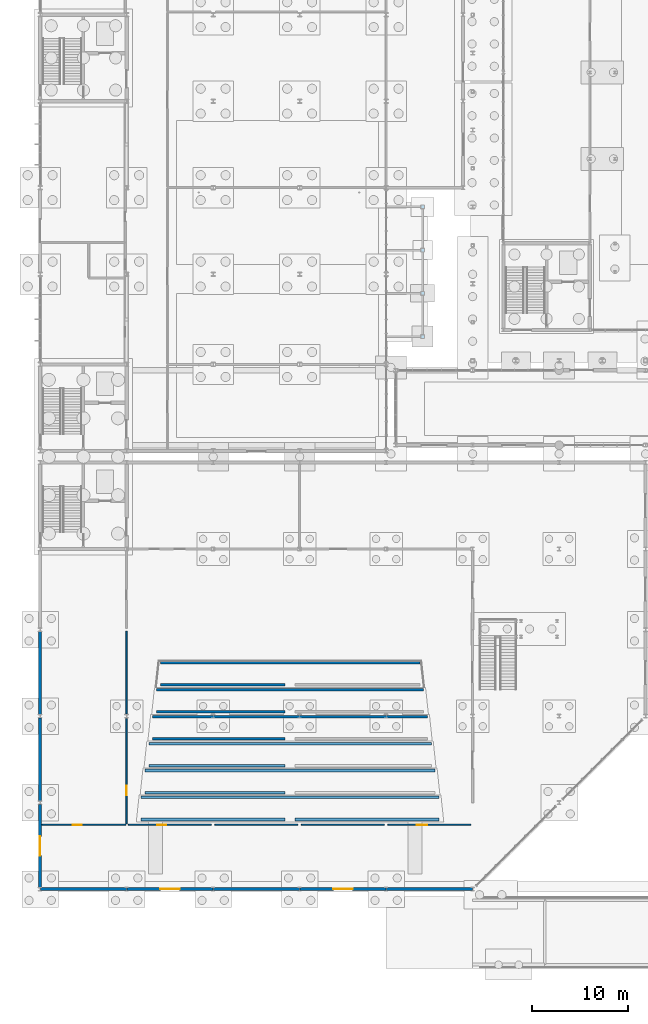
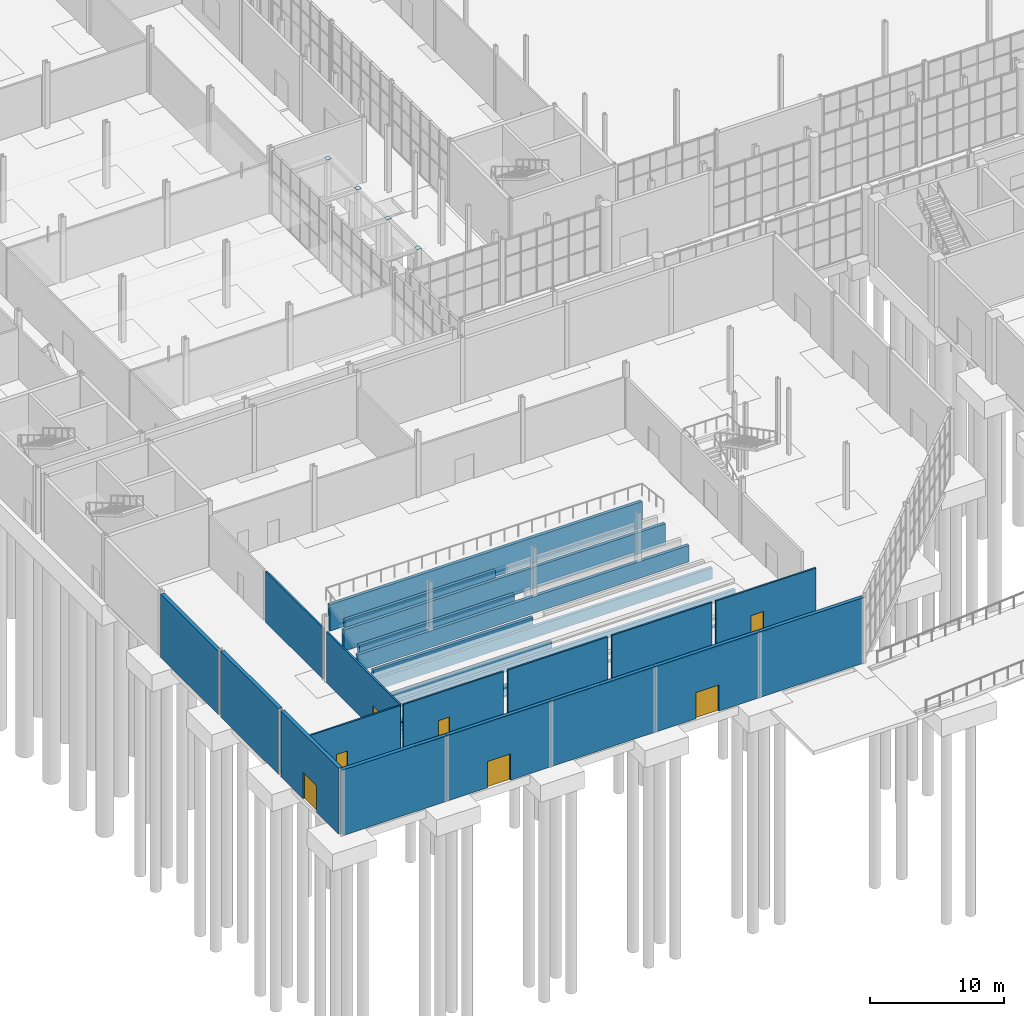
# One storey, part 97 of 131: 28 walls, 7 doors, 4 plates, 7 openings.
"""IFC4 building model written with IfcOpenShell, lengths in metres."""

from ifc_helpers import new_model, si_unit, direction, frame, frame_2d, origin, origin_2d, place, context, subcontext, project, spatial, rectangle, extrude, material, layer, layer_set, type_object, element, fill, save


model = new_model("IFC4")

# Units and contexts
model_context = context("Model", 3, precision=1e-05, world=origin(), true_north=direction((0.0, 1.0)))
body_context = subcontext(model_context, "Body", "Model", "MODEL_VIEW")
ifc_project = project(units=[si_unit("LENGTHUNIT", "METRE"), si_unit("AREAUNIT", "SQUARE_METRE"), si_unit("VOLUMEUNIT", "CUBIC_METRE"), si_unit("PLANEANGLEUNIT", "RADIAN"), si_unit("MASSUNIT", "GRAM", prefix="KILO")], contexts=[model_context])

# Site, building, storey
site_placement = place(None, origin())
site = spatial("IfcSite", under=ifc_project, at=site_placement, CompositionType="ELEMENT")
building_placement = place(site_placement, origin())
building = spatial("IfcBuilding", under=site, at=building_placement, Name="Cazmaro Siding Exhibition Halls", CompositionType="ELEMENT")
storey_placement = place(building_placement, origin())
storey = spatial("IfcBuildingStorey", under=building, at=storey_placement, Name="L00", CompositionType="ELEMENT", Elevation=0.0)

# Plates
ifc_material_1 = material(Name="Steel ASTM A572 Grade 50", Category="steel")
ifc_layer_1 = layer(ifc_material_1, 0.02001953125)
ifc_layer_set_1 = layer_set([ifc_layer_1], Name="Steel ASTM A572 Grade 50")
plate_type = type_object("IfcPlateType", Name="CP-03", PredefinedType="SHEET", material=ifc_layer_set_1)
for number, where, z_axis, x_axis, name in (
    (1, (39.800048828125, 66.5, 4.800048828125), (0.0, 0.0, 1.0), (1.0, 0.0, 0.0), "HSS column top end-cap plate CP-03"),
    (2, (39.800048828125, 71.0, 4.800048828125), (0.0, 0.0, 1.0), (1.0, 0.0, 0.0), "HSS column top end-cap plate CP-03"),
    (3, (39.800048828125, 75.5, 4.800048828125), (0.0, 0.0, 1.0), (1.0, 0.0, 0.0), "HSS column top end-cap plate CP-03"),
    (4, (39.800048828125, 80.0, 4.800048828125), (0.0, 0.0, 1.0), (1.0, 0.0, 0.0), "HSS column top end-cap plate CP-03"),
):
    element("IfcPlate", number, at=place(storey_placement, frame(where, z_axis=z_axis, x_axis=x_axis)), inside=storey, type_object=plate_type, Name=name, PredefinedType="SHEET", context=body_context, shape_type="SweptSolid", body=[
        extrude(rectangle(XDim=0.389892578125, YDim=0.389892578125, at=origin_2d()), origin(), (0.0, 0.0, 1.0), 0.02001953125),
    ])

# Wall
ifc_material_2 = material(Name="Concrete f'c 45 MPa", Category="concrete")
ifc_layer_2 = layer(ifc_material_2, 0.320068359375)
ifc_layer_set_2 = layer_set([ifc_layer_2], Name="Concrete f'c 45 MPa")
wall_type_1 = type_object("IfcWallType", Name="EW-01", PredefinedType="STANDARD", material=ifc_layer_set_2)
wall_1_placement = place(storey_placement, frame((8.985107421875, 9.0, 0.0), z_axis=(0.0, 0.0, 1.0), x_axis=(-1.0, 0.0, 0.0)))
element("IfcWall", 5, at=wall_1_placement, inside=storey, type_object=wall_type_1, Name="Congress South Acoustic Wall EW-01 WL-E0187", PredefinedType="STANDARD", context=body_context, shape_type="SweptSolid", body=[
    extrude(rectangle(XDim=8.97021484375, YDim=0.320068359375, at=frame_2d((4.485107421875, 0.0))), origin(), (0.0, 0.0, 1.0), 6.0),
])

# Wall, opening, door
wall_2_placement = place(storey_placement, frame((17.985107421875, 9.0, 0.0), z_axis=(0.0, 0.0, 1.0), x_axis=(-1.0, 0.0, 0.0)))
wall_2 = element("IfcWall", 6, at=wall_2_placement, inside=storey, type_object=wall_type_1, Name="Congress South Acoustic Wall EW-01 WL-E0190", PredefinedType="STANDARD", context=body_context, shape_type="SweptSolid", body=[
    extrude(rectangle(XDim=8.97021484375, YDim=0.320068359375, at=frame_2d((4.485107421875, 0.0))), origin(), (0.0, 0.0, 1.0), 6.0),
])
opening_1_placement = place(wall_2_placement, frame((3.485107421875, 0.0, 0.0)))
opening_1 = element("IfcOpeningElement", 7, at=opening_1_placement, cuts=wall_2, Name="Opening D-E054", PredefinedType="OPENING", context=body_context, shape_type="SweptSolid", body=[
    extrude(rectangle(XDim=2.0, YDim=2.39990234375, at=frame_2d((1.0, 1.199951171875))), frame((0.0, 0.169921875, 0.0), z_axis=(0.0, -1.0, 0.0), x_axis=(1.0, 0.0, 0.0)), (0.0, 0.0, 1.0), 0.340087890625),
])
ifc_material_3 = material(Name="Anodized Bronze Glazed Entrance Door", Category="aluminium")
door_type_1 = type_object("IfcDoorType", Name="ED-01", OperationType="DOUBLE_DOOR_SINGLE_SWING", PredefinedType="DOOR", material=ifc_material_3)
door_1_placement = place(opening_1_placement, origin())
door_1 = element("IfcDoor", 8, at=door_1_placement, inside=storey, type_object=door_type_1, Name="Exterior door D-E054 (ED-01)", OperationType="DOUBLE_DOOR_SINGLE_SWING", OverallHeight=2.39990234375, OverallWidth=2.0, PredefinedType="DOOR", context=body_context, shape_type="SweptSolid", body=[
    extrude(rectangle(XDim=2.0, YDim=2.39990234375, at=frame_2d((1.0, 1.199951171875))), frame((0.0, 0.02490234375, 0.0), z_axis=(0.0, -1.0, 0.0), x_axis=(1.0, 0.0, 0.0)), (0.0, 0.0, 1.0), 0.050048828125),
])
fill(opening_1, door_1)

# Wall
wall_3_placement = place(storey_placement, frame((26.985107421875, 9.0, 0.0), z_axis=(0.0, 0.0, 1.0), x_axis=(-1.0, 0.0, 0.0)))
element("IfcWall", 9, at=wall_3_placement, inside=storey, type_object=wall_type_1, Name="Congress South Acoustic Wall EW-01 WL-E0193", PredefinedType="STANDARD", context=body_context, shape_type="SweptSolid", body=[
    extrude(rectangle(XDim=8.97021484375, YDim=0.320068359375, at=frame_2d((4.485107421875, 0.0))), origin(), (0.0, 0.0, 1.0), 6.0),
])

# Wall, opening, door
wall_4_placement = place(storey_placement, frame((35.985107421875, 9.0, 0.0), z_axis=(0.0, 0.0, 1.0), x_axis=(-1.0, 0.0, 0.0)))
wall_4 = element("IfcWall", 10, at=wall_4_placement, inside=storey, type_object=wall_type_1, Name="Congress South Acoustic Wall EW-01 WL-E0196", PredefinedType="STANDARD", context=body_context, shape_type="SweptSolid", body=[
    extrude(rectangle(XDim=8.97021484375, YDim=0.320068359375, at=frame_2d((4.485107421875, 0.0))), origin(), (0.0, 0.0, 1.0), 6.0),
])
opening_2_placement = place(wall_4_placement, frame((3.485107421875, 0.0, 0.0)))
opening_2 = element("IfcOpeningElement", 11, at=opening_2_placement, cuts=wall_4, Name="Opening D-E055", PredefinedType="OPENING", context=body_context, shape_type="SweptSolid", body=[
    extrude(rectangle(XDim=2.0, YDim=2.39990234375, at=frame_2d((1.0, 1.199951171875))), frame((0.0, 0.169921875, 0.0), z_axis=(0.0, -1.0, 0.0), x_axis=(1.0, 0.0, 0.0)), (0.0, 0.0, 1.0), 0.340087890625),
])
door_2_placement = place(opening_2_placement, origin())
door_2 = element("IfcDoor", 12, at=door_2_placement, inside=storey, type_object=door_type_1, Name="Exterior door D-E055 (ED-01)", OperationType="DOUBLE_DOOR_SINGLE_SWING", OverallHeight=2.39990234375, OverallWidth=2.0, PredefinedType="DOOR", context=body_context, shape_type="SweptSolid", body=[
    extrude(rectangle(XDim=2.0, YDim=2.39990234375, at=frame_2d((1.0, 1.199951171875))), frame((0.0, 0.02490234375, 0.0), z_axis=(0.0, -1.0, 0.0), x_axis=(1.0, 0.0, 0.0)), (0.0, 0.0, 1.0), 0.050048828125),
])
fill(opening_2, door_2)

# Wall
wall_5_placement = place(storey_placement, frame((44.985107421875, 9.0, 0.0), z_axis=(0.0, 0.0, 1.0), x_axis=(-1.0, 0.0, 0.0)))
element("IfcWall", 13, at=wall_5_placement, inside=storey, type_object=wall_type_1, Name="Congress South Acoustic Wall EW-01 WL-E0199", PredefinedType="STANDARD", context=body_context, shape_type="SweptSolid", body=[
    extrude(rectangle(XDim=8.97021484375, YDim=0.320068359375, at=frame_2d((4.485107421875, 0.0))), origin(), (0.0, 0.0, 1.0), 6.0),
])

# Wall, opening, door
wall_6_placement = place(storey_placement, frame((0.0, 9.179931640625, 0.0), z_axis=(0.0, 0.0, 1.0), x_axis=(0.0, 1.0, 0.0)))
wall_6 = element("IfcWall", 14, at=wall_6_placement, inside=storey, type_object=wall_type_1, Name="Congress West Street Wall EW-01 WL-E0205", PredefinedType="STANDARD", context=body_context, shape_type="SweptSolid", body=[
    extrude(rectangle(XDim=8.64013671875, YDim=0.320068359375, at=frame_2d((4.320068359375, 0.0))), origin(), (0.0, 0.0, 1.0), 6.0),
])
opening_3_placement = place(wall_6_placement, frame((3.320068359375, 0.0, 0.0)))
opening_3 = element("IfcOpeningElement", 15, at=opening_3_placement, cuts=wall_6, Name="Opening D-E059", PredefinedType="OPENING", context=body_context, shape_type="SweptSolid", body=[
    extrude(rectangle(XDim=2.0, YDim=2.39990234375, at=frame_2d((1.0, 1.199951171875))), frame((0.0, 0.169921875, 0.0), z_axis=(0.0, -1.0, 0.0), x_axis=(1.0, 0.0, 0.0)), (0.0, 0.0, 1.0), 0.340087890625),
])
door_3_placement = place(opening_3_placement, origin())
door_3 = element("IfcDoor", 16, at=door_3_placement, inside=storey, type_object=door_type_1, Name="Exterior door D-E059 (ED-01)", OperationType="DOUBLE_DOOR_SINGLE_SWING", OverallHeight=2.39990234375, OverallWidth=2.0, PredefinedType="DOOR", context=body_context, shape_type="SweptSolid", body=[
    extrude(rectangle(XDim=2.0, YDim=2.39990234375, at=frame_2d((1.0, 1.199951171875))), frame((0.0, 0.02490234375, 0.0), z_axis=(0.0, -1.0, 0.0), x_axis=(1.0, 0.0, 0.0)), (0.0, 0.0, 1.0), 0.050048828125),
])
fill(opening_3, door_3)

# Walls
wall_7_placement = place(storey_placement, frame((0.0, 18.179931640625, 0.0), z_axis=(0.0, 0.0, 1.0), x_axis=(0.0, 1.0, 0.0)))
element("IfcWall", 17, at=wall_7_placement, inside=storey, type_object=wall_type_1, Name="Congress West Street Wall EW-01 WL-E0208", PredefinedType="STANDARD", context=body_context, shape_type="SweptSolid", body=[
    extrude(rectangle(XDim=8.64013671875, YDim=0.320068359375, at=frame_2d((4.320068359375, 0.0))), origin(), (0.0, 0.0, 1.0), 6.0),
])
wall_8_placement = place(storey_placement, frame((0.0, 27.179931640625, 0.0), z_axis=(0.0, 0.0, 1.0), x_axis=(0.0, 1.0, 0.0)))
element("IfcWall", 18, at=wall_8_placement, inside=storey, type_object=wall_type_1, Name="Congress West Street Wall EW-01 WL-E0211", PredefinedType="STANDARD", context=body_context, shape_type="SweptSolid", body=[
    extrude(rectangle(XDim=8.64013671875, YDim=0.320068359375, at=frame_2d((4.320068359375, 0.0))), origin(), (0.0, 0.0, 1.0), 5.780029296875),
])

# Wall, opening, door
ifc_material_4 = material(Name="Fire-Rated Gypsum Board on Cold-Formed Steel Studs", Category="steel")
ifc_layer_3 = layer(ifc_material_4, 0.14501953125)
ifc_layer_set_3 = layer_set([ifc_layer_3], Name="Fire-Rated Gypsum Board on Cold-Formed Steel Studs")
wall_type_2 = type_object("IfcWallType", Name="PW-01", PredefinedType="PARTITIONING", material=ifc_layer_set_3)
wall_9_placement = place(storey_placement, frame((9.0, 15.800048828125, 0.0), z_axis=(0.0, 0.0, 1.0), x_axis=(0.0, 1.0, 0.0)))
wall_9 = element("IfcWall", 19, at=wall_9_placement, inside=storey, type_object=wall_type_2, Name="Auditorium Green Room Wall PW-01 WL-I0174", PredefinedType="PARTITIONING", context=body_context, shape_type="SweptSolid", body=[
    extrude(rectangle(XDim=10.949951171875, YDim=0.14501953125, at=frame_2d((5.47509765625, 0.0))), origin(), (0.0, 0.0, 1.0), 4.64990234375),
])
opening_4_placement = place(wall_9_placement, frame((3.0, 0.0, 0.0)))
opening_4 = element("IfcOpeningElement", 20, at=opening_4_placement, cuts=wall_9, Name="Opening D-I087", PredefinedType="OPENING", context=body_context, shape_type="SweptSolid", body=[
    extrude(rectangle(XDim=0.949951171875, YDim=2.1201171875, at=frame_2d((0.47509765625, 1.06005859375))), frame((0.0, 0.08251953125, 0.0), z_axis=(0.0, -1.0, 0.0), x_axis=(1.0, 0.0, 0.0)), (0.0, 0.0, 1.0), 0.1650390625),
])
ifc_material_5 = material(Name="Fire-Rated Painted Hollow Metal Door", Category="steel")
door_type_2 = type_object("IfcDoorType", Name="ID-04", OperationType="NOTDEFINED", PredefinedType="DOOR", material=ifc_material_5)
door_4_placement = place(opening_4_placement, origin())
door_4 = element("IfcDoor", 21, at=door_4_placement, inside=storey, type_object=door_type_2, Name="Interior door D-I087 (ID-04)", OperationType="SINGLE_SWING_LEFT", OverallHeight=2.1201171875, OverallWidth=0.949951171875, PredefinedType="DOOR", context=body_context, shape_type="SweptSolid", body=[
    extrude(rectangle(XDim=0.949951171875, YDim=2.1201171875, at=frame_2d((0.47509765625, 1.06005859375))), frame((0.0, 0.02490234375, 0.0), z_axis=(0.0, -1.0, 0.0), x_axis=(1.0, 0.0, 0.0)), (0.0, 0.0, 1.0), 0.050048828125),
])
fill(opening_4, door_4)

# Wall
wall_10_placement = place(storey_placement, frame((9.0, 27.25, 0.0), z_axis=(0.0, 0.0, 1.0), x_axis=(0.0, 1.0, 0.0)))
element("IfcWall", 22, at=wall_10_placement, inside=storey, type_object=wall_type_2, Name="Auditorium Green Room Wall PW-01 WL-I0175", PredefinedType="PARTITIONING", context=body_context, shape_type="SweptSolid", body=[
    extrude(rectangle(XDim=8.60009765625, YDim=0.14501953125, at=frame_2d((4.300048828125, 0.0))), origin(), (0.0, 0.0, 1.0), 4.64990234375),
])

# Wall, opening, door
wall_11_placement = place(storey_placement, frame((0.169921875, 15.699951171875, 0.0), z_axis=(0.0, 0.0, 1.0), x_axis=(1.0, 0.0, 0.0)))
wall_11 = element("IfcWall", 23, at=wall_11_placement, inside=storey, type_object=wall_type_2, Name="Backstage-Green Room Wall PW-01 WL-I0177", PredefinedType="PARTITIONING", context=body_context, shape_type="SweptSolid", body=[
    extrude(rectangle(XDim=8.75, YDim=0.14501953125, at=frame_2d((4.375, 0.0))), origin(), (0.0, 0.0, 1.0), 4.64990234375),
])
opening_5_placement = place(wall_11_placement, frame((3.199951171875, 0.0, 0.0)))
opening_5 = element("IfcOpeningElement", 24, at=opening_5_placement, cuts=wall_11, Name="Opening D-I089", PredefinedType="OPENING", context=body_context, shape_type="SweptSolid", body=[
    extrude(rectangle(XDim=0.949951171875, YDim=2.1201171875, at=frame_2d((0.47509765625, 1.06005859375))), frame((0.0, 0.08251953125, 0.0), z_axis=(0.0, -1.0, 0.0), x_axis=(1.0, 0.0, 0.0)), (0.0, 0.0, 1.0), 0.1650390625),
])
door_5_placement = place(opening_5_placement, origin())
door_5 = element("IfcDoor", 25, at=door_5_placement, inside=storey, type_object=door_type_2, Name="Interior door D-I089 (ID-04)", OperationType="SINGLE_SWING_LEFT", OverallHeight=2.1201171875, OverallWidth=0.949951171875, PredefinedType="DOOR", context=body_context, shape_type="SweptSolid", body=[
    extrude(rectangle(XDim=0.949951171875, YDim=2.1201171875, at=frame_2d((0.47509765625, 1.06005859375))), frame((0.0, 0.02490234375, 0.0), z_axis=(0.0, -1.0, 0.0), x_axis=(1.0, 0.0, 0.0)), (0.0, 0.0, 1.0), 0.050048828125),
])
fill(opening_5, door_5)

wall_12_placement = place(storey_placement, frame((9.178955078125, 15.699951171875, 0.0), z_axis=(0.0, 0.0, 1.0), x_axis=(1.0, 0.0, 0.0)))
wall_12 = element("IfcWall", 26, at=wall_12_placement, inside=storey, type_object=wall_type_2, Name="Auditorium Backstage Wall PW-01 WL-I0178", PredefinedType="PARTITIONING", context=body_context, shape_type="SweptSolid", body=[
    extrude(rectangle(XDim=8.64208984375, YDim=0.14501953125, at=frame_2d((4.321044921875, 0.0))), origin(), (0.0, 0.0, 1.0), 4.64990234375),
])
opening_6_placement = place(wall_12_placement, frame((3.0, 0.0, 0.0)))
opening_6 = element("IfcOpeningElement", 27, at=opening_6_placement, cuts=wall_12, Name="Opening D-I090", PredefinedType="OPENING", context=body_context, shape_type="SweptSolid", body=[
    extrude(rectangle(XDim=0.949951171875, YDim=2.1201171875, at=frame_2d((0.47509765625, 1.06005859375))), frame((0.0, 0.08251953125, 0.0), z_axis=(0.0, -1.0, 0.0), x_axis=(1.0, 0.0, 0.0)), (0.0, 0.0, 1.0), 0.1650390625),
])
door_6_placement = place(opening_6_placement, origin())
door_6 = element("IfcDoor", 28, at=door_6_placement, inside=storey, type_object=door_type_2, Name="Interior door D-I090 (ID-04)", OperationType="SINGLE_SWING_RIGHT", OverallHeight=2.1201171875, OverallWidth=0.949951171875, PredefinedType="DOOR", context=body_context, shape_type="SweptSolid", body=[
    extrude(rectangle(XDim=0.949951171875, YDim=2.1201171875, at=frame_2d((0.47509765625, 1.06005859375))), frame((0.0, 0.02490234375, 0.0), z_axis=(0.0, -1.0, 0.0), x_axis=(1.0, 0.0, 0.0)), (0.0, 0.0, 1.0), 0.050048828125),
])
fill(opening_6, door_6)

# Walls
for number, where, z_axis, x_axis, name in (
    (29, (18.178955078125, 15.699951171875, 0.0), (0.0, 0.0, 1.0), (1.0, 0.0, 0.0), "Auditorium Backstage Wall PW-01 WL-I0180"),
    (30, (27.178955078125, 15.699951171875, 0.0), (0.0, 0.0, 1.0), (1.0, 0.0, 0.0), "Auditorium Backstage Wall PW-01 WL-I0182"),
):
    element("IfcWall", number, at=place(storey_placement, frame(where, z_axis=z_axis, x_axis=x_axis)), inside=storey, type_object=wall_type_2, Name=name, PredefinedType="PARTITIONING", context=body_context, shape_type="SweptSolid", body=[
        extrude(rectangle(XDim=8.64208984375, YDim=0.14501953125, at=frame_2d((4.321044921875, 0.0))), origin(), (0.0, 0.0, 1.0), 4.64990234375),
    ])

# Wall, opening, door
wall_13_placement = place(storey_placement, frame((36.178955078125, 15.699951171875, 0.0), z_axis=(0.0, 0.0, 1.0), x_axis=(1.0, 0.0, 0.0)))
wall_13 = element("IfcWall", 31, at=wall_13_placement, inside=storey, type_object=wall_type_2, Name="Auditorium Backstage Wall PW-01 WL-I0184", PredefinedType="PARTITIONING", context=body_context, shape_type="SweptSolid", body=[
    extrude(rectangle(XDim=8.64208984375, YDim=0.14501953125, at=frame_2d((4.321044921875, 0.0))), origin(), (0.0, 0.0, 1.0), 4.64990234375),
])
opening_7_placement = place(wall_13_placement, frame((3.0, 0.0, 0.0)))
opening_7 = element("IfcOpeningElement", 32, at=opening_7_placement, cuts=wall_13, Name="Opening D-I094", PredefinedType="OPENING", context=body_context, shape_type="SweptSolid", body=[
    extrude(rectangle(XDim=1.080078125, YDim=2.260009765625, at=frame_2d((0.5400390625, 1.1298828125))), frame((0.0, 0.08251953125, 0.0), z_axis=(0.0, -1.0, 0.0), x_axis=(1.0, 0.0, 0.0)), (0.0, 0.0, 1.0), 0.1650390625),
])
ifc_material_6 = material(Name="Fire-Rated Painted Hollow Metal Door", Category="steel")
door_type_3 = type_object("IfcDoorType", Name="ID-13", OperationType="NOTDEFINED", PredefinedType="DOOR", material=ifc_material_6)
door_7_placement = place(opening_7_placement, origin())
door_7 = element("IfcDoor", 33, at=door_7_placement, inside=storey, type_object=door_type_3, Name="Interior door D-I094 (ID-13)", OperationType="SINGLE_SWING_LEFT", OverallHeight=2.260009765625, OverallWidth=1.080078125, PredefinedType="DOOR", context=body_context, shape_type="SweptSolid", body=[
    extrude(rectangle(XDim=1.080078125, YDim=2.260009765625, at=frame_2d((0.5400390625, 1.1298828125))), frame((0.0, 0.02490234375, 0.0), z_axis=(0.0, -1.0, 0.0), x_axis=(1.0, 0.0, 0.0)), (0.0, 0.0, 1.0), 0.050048828125),
])
fill(opening_7, door_7)

# Walls
ifc_material_7 = material(Name="Concrete f'c 45 MPa", Category="concrete")
ifc_layer_4 = layer(ifc_material_7, 0.264892578125)
ifc_layer_set_4 = layer_set([ifc_layer_4], Name="Concrete f'c 45 MPa")
wall_type_3 = type_object("IfcWallType", Name="RW-01", PredefinedType="SHEAR", material=ifc_layer_set_4)
for number, where, z_axis, x_axis, name in (
    (34, (10.5, 16.25, 0.0), (0.0, 0.0, 1.0), (1.0, 0.0, 0.0), "Auditorium Tier Riser Wall RW-01 WL-RW001"),
    (35, (26.5, 16.25, 0.0), (0.0, 0.0, 1.0), (1.0, 0.0, 0.0), "Auditorium Tier Riser Wall RW-01 WL-RW002"),
):
    element("IfcWall", number, at=place(storey_placement, frame(where, z_axis=z_axis, x_axis=x_axis)), inside=storey, type_object=wall_type_3, Name=name, PredefinedType="SHEAR", context=body_context, shape_type="SweptSolid", body=[
        extrude(rectangle(XDim=15.0, YDim=0.264892578125, at=frame_2d((7.5, 0.0))), origin(), (0.0, 0.0, 1.0), 0.1298828125),
    ])
wall_14_placement = place(storey_placement, frame((10.5, 18.550048828125, 0.0), z_axis=(0.0, 0.0, 1.0), x_axis=(1.0, 0.0, 0.0)))
element("IfcWall", 36, at=wall_14_placement, inside=storey, type_object=wall_type_3, Name="Auditorium Tier Riser Wall RW-01 WL-RW003", PredefinedType="SHEAR", context=body_context, shape_type="SweptSolid", body=[
    extrude(rectangle(XDim=31.0, YDim=0.264892578125, at=frame_2d((15.5, 0.0))), origin(), (0.0, 0.0, 1.0), 0.1298828125),
])
wall_15_placement = place(storey_placement, frame((10.89990234375, 19.050048828125, 0.0), z_axis=(0.0, 0.0, 1.0), x_axis=(1.0, 0.0, 0.0)))
element("IfcWall", 37, at=wall_15_placement, inside=storey, type_object=wall_type_3, Name="Auditorium Tier Riser Wall RW-01 WL-RW004", PredefinedType="SHEAR", context=body_context, shape_type="SweptSolid", body=[
    extrude(rectangle(XDim=14.60009765625, YDim=0.264892578125, at=frame_2d((7.300048828125, 0.0))), origin(), (0.0, 0.0, 1.0), 0.610107421875),
])
wall_16_placement = place(storey_placement, frame((10.89990234375, 21.35009765625, 0.0), z_axis=(0.0, 0.0, 1.0), x_axis=(1.0, 0.0, 0.0)))
element("IfcWall", 38, at=wall_16_placement, inside=storey, type_object=wall_type_3, Name="Auditorium Tier Riser Wall RW-01 WL-RW006", PredefinedType="SHEAR", context=body_context, shape_type="SweptSolid", body=[
    extrude(rectangle(XDim=30.2001953125, YDim=0.264892578125, at=frame_2d((15.10009765625, 0.0))), origin(), (0.0, 0.0, 1.0), 0.610107421875),
])
wall_17_placement = place(storey_placement, frame((11.300048828125, 21.85009765625, 0.0), z_axis=(0.0, 0.0, 1.0), x_axis=(1.0, 0.0, 0.0)))
element("IfcWall", 39, at=wall_17_placement, inside=storey, type_object=wall_type_3, Name="Auditorium Tier Riser Wall RW-01 WL-RW007", PredefinedType="SHEAR", context=body_context, shape_type="SweptSolid", body=[
    extrude(rectangle(XDim=14.199951171875, YDim=0.264892578125, at=frame_2d((7.10009765625, 0.0))), origin(), (0.0, 0.0, 1.0), 1.030029296875),
])
wall_18_placement = place(storey_placement, frame((11.300048828125, 24.14990234375, 0.0), z_axis=(0.0, 0.0, 1.0), x_axis=(1.0, 0.0, 0.0)))
element("IfcWall", 40, at=wall_18_placement, inside=storey, type_object=wall_type_3, Name="Auditorium Tier Riser Wall RW-01 WL-RW009", PredefinedType="SHEAR", context=body_context, shape_type="SweptSolid", body=[
    extrude(rectangle(XDim=29.39990234375, YDim=0.264892578125, at=frame_2d((14.699951171875, 0.0))), origin(), (0.0, 0.0, 1.0), 1.030029296875),
])
wall_19_placement = place(storey_placement, frame((11.699951171875, 24.64990234375, 0.0), z_axis=(0.0, 0.0, 1.0), x_axis=(1.0, 0.0, 0.0)))
element("IfcWall", 41, at=wall_19_placement, inside=storey, type_object=wall_type_3, Name="Auditorium Tier Riser Wall RW-01 WL-RW010", PredefinedType="SHEAR", context=body_context, shape_type="SweptSolid", body=[
    extrude(rectangle(XDim=13.800048828125, YDim=0.264892578125, at=frame_2d((6.89990234375, 0.0))), origin(), (0.0, 0.0, 1.0), 1.510009765625),
])
wall_20_placement = place(storey_placement, frame((11.699951171875, 26.949951171875, 0.0), z_axis=(0.0, 0.0, 1.0), x_axis=(1.0, 0.0, 0.0)))
element("IfcWall", 42, at=wall_20_placement, inside=storey, type_object=wall_type_3, Name="Auditorium Tier Riser Wall RW-01 WL-RW012", PredefinedType="SHEAR", context=body_context, shape_type="SweptSolid", body=[
    extrude(rectangle(XDim=28.60009765625, YDim=0.264892578125, at=frame_2d((14.300048828125, 0.0))), origin(), (0.0, 0.0, 1.0), 1.510009765625),
])
wall_21_placement = place(storey_placement, frame((12.10009765625, 27.449951171875, 0.0), z_axis=(0.0, 0.0, 1.0), x_axis=(1.0, 0.0, 0.0)))
element("IfcWall", 43, at=wall_21_placement, inside=storey, type_object=wall_type_3, Name="Auditorium Tier Riser Wall RW-01 WL-RW013", PredefinedType="SHEAR", context=body_context, shape_type="SweptSolid", body=[
    extrude(rectangle(XDim=13.39990234375, YDim=0.264892578125, at=frame_2d((6.699951171875, 0.0))), origin(), (0.0, 0.0, 1.0), 1.929931640625),
])
wall_22_placement = place(storey_placement, frame((12.10009765625, 29.75, 0.0), z_axis=(0.0, 0.0, 1.0), x_axis=(1.0, 0.0, 0.0)))
element("IfcWall", 44, at=wall_22_placement, inside=storey, type_object=wall_type_3, Name="Auditorium Tier Riser Wall RW-01 WL-RW015", PredefinedType="SHEAR", context=body_context, shape_type="SweptSolid", body=[
    extrude(rectangle(XDim=27.7998046875, YDim=0.264892578125, at=frame_2d((13.89990234375, 0.0))), origin(), (0.0, 0.0, 1.0), 1.929931640625),
])
wall_23_placement = place(storey_placement, frame((12.5, 30.25, 0.0), z_axis=(0.0, 0.0, 1.0), x_axis=(1.0, 0.0, 0.0)))
element("IfcWall", 45, at=wall_23_placement, inside=storey, type_object=wall_type_3, Name="Auditorium Tier Riser Wall RW-01 WL-RW016", PredefinedType="SHEAR", context=body_context, shape_type="SweptSolid", body=[
    extrude(rectangle(XDim=13.0, YDim=0.264892578125, at=frame_2d((6.5, 0.0))), origin(), (0.0, 0.0, 1.0), 2.409912109375),
])
wall_24_placement = place(storey_placement, frame((12.5, 32.550048828125, 0.0), z_axis=(0.0, 0.0, 1.0), x_axis=(1.0, 0.0, 0.0)))
element("IfcWall", 46, at=wall_24_placement, inside=storey, type_object=wall_type_3, Name="Auditorium Tier Riser Wall RW-01 WL-RW018", PredefinedType="SHEAR", context=body_context, shape_type="SweptSolid", body=[
    extrude(rectangle(XDim=27.0, YDim=0.264892578125, at=frame_2d((13.5, 0.0))), origin(), (0.0, 0.0, 1.0), 2.409912109375),
])

save(model, "model.ifc")
